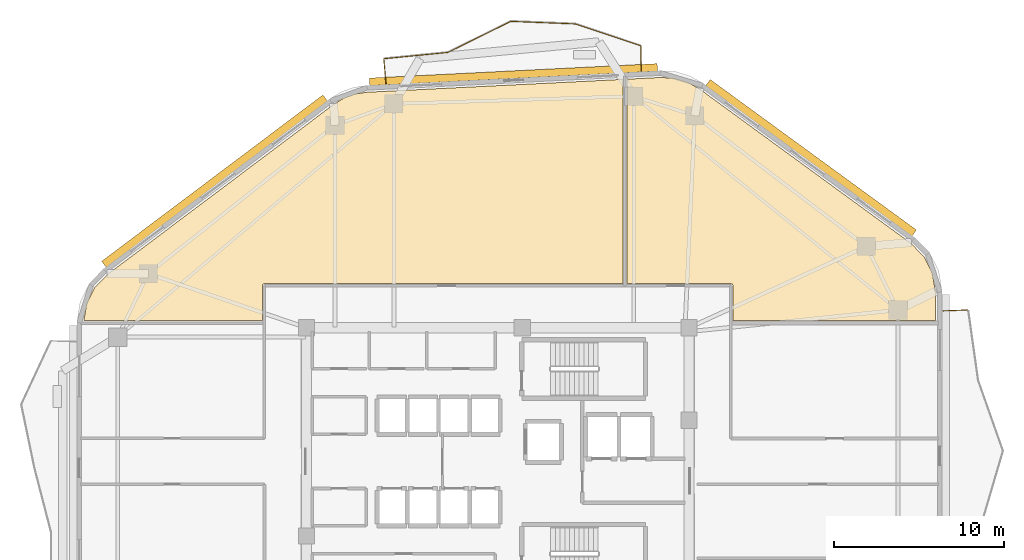
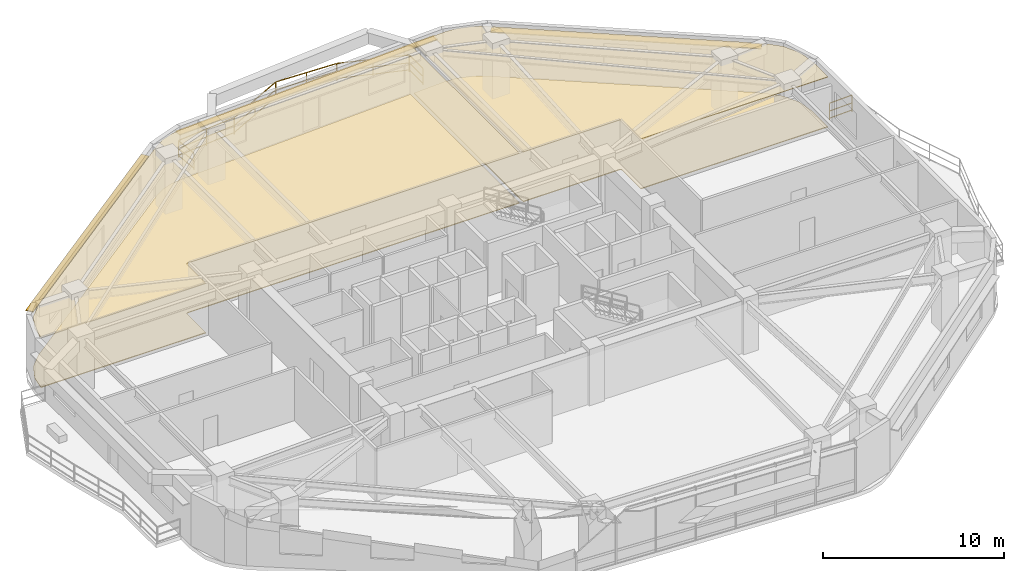
# One storey, part 14 of 14: 7 railings, 4 coverings, 3 shading devices.
"""IFC4 building model written with IfcOpenShell, lengths in metres."""

import ifcopenshell
import ifcopenshell.guid

model = None  # the IFC model being written
_history = None  # IfcOwnerHistory: only IFC2X3 demands one
_inside = {}  # id of a spatial element -> (the spatial element, [elements in it])
_under = {}  # id of a project, library or spatial element -> (it, [spatial elements below it])
_declared = {}  # id of a project -> (the project, [libraries it declares])
_typed = {}  # id of a type object -> (the type object, [elements of that type])
_made_of = {}  # id of a material, layer set ... -> (it, [elements and type objects made of it])


def new_model(schema):
    """Start an empty IFC model of exactly this schema.

    Asked for "IFC4X3", IfcOpenShell would pick the latest addendum, in which some entities
    have other attributes; the version numbers below select the first issue.
    IFC2X3 requires an IfcOwnerHistory on every rooted entity: one is made here for all.
    """
    global model, _history
    if schema == "IFC4X3":
        model = ifcopenshell.file(schema_version=(4, 3, 0, 0))
    else:
        model = ifcopenshell.file(schema=schema)
    _inside.clear()
    _under.clear()
    _declared.clear()
    _typed.clear()
    _made_of.clear()
    _history = None
    if model.schema == "IFC2X3":
        org = make("IfcOrganization", Name="unknown")
        user = make(
            "IfcPersonAndOrganization",
            ThePerson=make("IfcPerson", FamilyName="unknown"),
            TheOrganization=org,
        )
        app = make(
            "IfcApplication",
            ApplicationDeveloper=org,
            Version="unknown",
            ApplicationFullName="unknown",
            ApplicationIdentifier="unknown",
        )
        _history = make(
            "IfcOwnerHistory",
            OwningUser=user,
            OwningApplication=app,
            ChangeAction="ADDED",
            CreationDate=0,
        )
    return model


def make(cls, **values):
    """One entity of the class cls with the attributes given. An attribute that is None is left unset."""
    return model.create_entity(
        cls, **{name: value for name, value in values.items() if value is not None}
    )


def rooted(cls, **values):
    """An entity with a GlobalId (a new one), such as an element, a storey or a relation."""
    return make(cls, GlobalId=ifcopenshell.guid.new(), OwnerHistory=_history, **values)


def si_unit(unit_type, name, prefix=None):
    """IfcSIUnit, for example si_unit("LENGTHUNIT", "METRE", prefix="MILLI")."""
    return make("IfcSIUnit", UnitType=unit_type, Prefix=prefix, Name=name)


def assignment(units):
    """IfcUnitAssignment: the units of a project."""
    return None if units is None else make("IfcUnitAssignment", Units=units)


def point(xyz):
    """IfcCartesianPoint."""
    return None if xyz is None else make("IfcCartesianPoint", Coordinates=xyz)


def direction(xyz):
    """IfcDirection."""
    return None if xyz is None else make("IfcDirection", DirectionRatios=xyz)


def frame(location, z_axis=None, x_axis=None):
    """IfcAxis2Placement3D, a coordinate frame: its origin and axes. An axis left out is left unset."""
    return make(
        "IfcAxis2Placement3D",
        Location=point(location),
        Axis=direction(z_axis),
        RefDirection=direction(x_axis),
    )


def frame_2d(location, x_axis=None):
    """IfcAxis2Placement2D, a coordinate frame in the plane: its origin and x axis."""
    return make(
        "IfcAxis2Placement2D", Location=point(location), RefDirection=direction(x_axis)
    )


def origin():
    """The frame at (0, 0, 0) with its axes left unset."""
    return frame((0.0, 0.0, 0.0))


def origin_2d():
    """The frame at (0, 0) in the plane with its x axis left unset."""
    return frame_2d((0.0, 0.0))


def place(relative_to, where):
    """IfcLocalPlacement: puts the frame where relative to a parent placement (None: the world)."""
    return make(
        "IfcLocalPlacement", PlacementRelTo=relative_to, RelativePlacement=where
    )


def context(
    kind, dimensions, precision=None, world=None, true_north=None, identifier=None
):
    """IfcGeometricRepresentationContext, for example the 3D "Model" context."""
    return make(
        "IfcGeometricRepresentationContext",
        ContextIdentifier=identifier,
        ContextType=kind,
        CoordinateSpaceDimension=dimensions,
        Precision=precision,
        WorldCoordinateSystem=world,
        TrueNorth=true_north,
    )


def subcontext(parent, identifier, kind, view, scale=None):
    """IfcGeometricRepresentationSubContext, for example "Body" below "Model"."""
    return make(
        "IfcGeometricRepresentationSubContext",
        ContextIdentifier=identifier,
        ContextType=kind,
        ParentContext=parent,
        TargetScale=scale,
        TargetView=view,
    )


def project(units=None, contexts=None):
    """IfcProject with its units and contexts."""
    return rooted(
        "IfcProject",
        Name="project",
        RepresentationContexts=contexts,
        UnitsInContext=assignment(units),
    )


def spatial(cls, under=None, at=None, **own):
    """A site, building, storey or space (cls), placed at a placement, below another one or the project."""
    s = rooted(cls, ObjectPlacement=at, **own)
    if under is not None:
        _under.setdefault(under.id(), (under, []))[1].append(s)
    return s


def polyline(points):
    """IfcPolyline through the points."""
    return make("IfcPolyline", Points=[point(p) for p in points])


def profile(cls, at=None, kind="AREA", **sizes):
    """A parametric profile (cls). Its sizes go by their IFC names, for example OverallWidth=200.0."""
    return make(cls, ProfileType=kind, Position=at, **sizes)


def rectangle(**sizes):
    """IfcRectangleProfileDef."""
    return profile("IfcRectangleProfileDef", **sizes)


def outline(outer, holes=None, kind="AREA"):
    """IfcArbitraryClosedProfileDef: a profile drawn as a closed curve; with holes, ...WithVoids."""
    if holes is None:
        return make("IfcArbitraryClosedProfileDef", ProfileType=kind, OuterCurve=outer)
    return make(
        "IfcArbitraryProfileDefWithVoids",
        ProfileType=kind,
        OuterCurve=outer,
        InnerCurves=holes,
    )


def extrude(swept, where, along, depth):
    """IfcExtrudedAreaSolid: the profile swept, set in the frame where, extruded along a direction by depth."""
    return make(
        "IfcExtrudedAreaSolid",
        SweptArea=swept,
        Position=where,
        ExtrudedDirection=direction(along),
        Depth=depth,
    )


def shape(context_of_items, identifier, shape_type, items):
    """IfcShapeRepresentation: the items that make up one representation, for example the "Body"."""
    return make(
        "IfcShapeRepresentation",
        ContextOfItems=context_of_items,
        RepresentationIdentifier=identifier,
        RepresentationType=shape_type,
        Items=items,
    )


def material(Name=None, Category=None):
    """IfcMaterial."""
    return make("IfcMaterial", Name=Name, Category=Category)


def layer(
    of_material, thickness, ventilated=None, Name=None, Category=None, Priority=None
):
    """IfcMaterialLayer: one layer of a wall or slab, of a material (None: an air gap)."""
    return make(
        "IfcMaterialLayer",
        Material=of_material,
        LayerThickness=thickness,
        IsVentilated=ventilated,
        Name=Name,
        Category=Category,
        Priority=Priority,
    )


def layer_set(layers, Name=None):
    """IfcMaterialLayerSet."""
    return make("IfcMaterialLayerSet", MaterialLayers=layers, LayerSetName=Name)


def made_of(thing, what):
    """Note that an element or type object is made of a material, layer set ...; save() writes the relation."""
    if what is not None:
        _made_of.setdefault(what.id(), (what, []))[1].append(thing)
    return thing


def type_object(cls, material=None, **own):
    """A type object (cls), such as IfcWallType, which elements share."""
    return made_of(rooted(cls, **own), material)


def element(
    cls,
    number,
    at=None,
    inside=None,
    cuts=None,
    type_object=None,
    material=None,
    context=None,
    identifier="Body",
    shape_type=None,
    held_by="IfcProductDefinitionShape",
    body=None,
    shapes=None,
    **own,
):
    """One element of the class cls, such as IfcWall. Its Tag is "e" and its number.

    at: its placement. inside: the storey or other place that contains it. cuts: it is an
    opening in that element (IfcRelVoidsElement). A single representation is given by context,
    identifier, shape_type and body (its items); several are given by shapes. held_by: the class
    of the entity that holds the representations. save() writes the other relations.
    """
    e = rooted(cls, Tag="e%d" % number, ObjectPlacement=at, **own)
    if body is not None:
        shapes = [shape(context, identifier, shape_type, body)]
    if shapes is not None:
        e.Representation = make(held_by, Representations=shapes)
    if inside is not None:
        _inside.setdefault(inside.id(), (inside, []))[1].append(e)
    if cuts is not None:
        rooted(
            "IfcRelVoidsElement", RelatingBuildingElement=cuts, RelatedOpeningElement=e
        )
    if type_object is not None:
        _typed.setdefault(type_object.id(), (type_object, []))[1].append(e)
    return made_of(e, material)


def aggregate(whole, parts):
    """IfcRelAggregates: a whole, such as a stair, and the parts it consists of."""
    return rooted("IfcRelAggregates", RelatingObject=whole, RelatedObjects=parts)


def save(model, path):
    """Write the relations noted so far, then the file.

    IfcRelAggregates (storeys below a building ...), IfcRelContainedInSpatialStructure (elements
    in a storey), IfcRelDefinesByType, IfcRelAssociatesMaterial and IfcRelDeclares: one each for
    every whole, place, type object, material and project.
    """
    for whole, parts in _under.values():
        aggregate(whole, parts)
    for where, things in _inside.values():
        rooted(
            "IfcRelContainedInSpatialStructure",
            RelatedElements=things,
            RelatingStructure=where,
        )
    for kind, things in _typed.values():
        rooted("IfcRelDefinesByType", RelatedObjects=things, RelatingType=kind)
    for what, things in _made_of.values():
        rooted("IfcRelAssociatesMaterial", RelatedObjects=things, RelatingMaterial=what)
    for by, libraries in _declared.values():
        rooted("IfcRelDeclares", RelatingContext=by, RelatedDefinitions=libraries)
    model.write(path)


model = new_model("IFC4")

# Units and contexts
model_context = context("Model", 3, precision=1e-05, world=origin(), true_north=direction((0.0, 1.0)))
body_context = subcontext(model_context, "Body", "Model", "MODEL_VIEW")
ifc_project = project(units=[si_unit("LENGTHUNIT", "METRE"), si_unit("AREAUNIT", "SQUARE_METRE"), si_unit("VOLUMEUNIT", "CUBIC_METRE"), si_unit("PLANEANGLEUNIT", "RADIAN"), si_unit("MASSUNIT", "GRAM", prefix="KILO")], contexts=[model_context])

# Site, building, storey
site_placement = place(None, origin())
site = spatial("IfcSite", under=ifc_project, at=site_placement, CompositionType="ELEMENT")
building_placement = place(site_placement, origin())
building = spatial("IfcBuilding", under=site, at=building_placement, Name="Zulverin Broadcast Headquarters", CompositionType="ELEMENT")
storey_placement = place(building_placement, frame((0.0, 0.0, 140.199951171875)))
storey = spatial("IfcBuildingStorey", under=building, at=storey_placement, Name="L35", CompositionType="ELEMENT", Elevation=140.199951171875)

# Coverings
ifc_material_1 = material(Name="Perforated pale-metal acoustic baffle ceiling", Category="aluminium")
ifc_layer_1 = layer(ifc_material_1, 0.0400390625, Name="Perforated pale-metal acoustic baffle ceiling", Category="aluminium")
ifc_layer_set_1 = layer_set([ifc_layer_1], Name="Perforated pale-metal acoustic baffle ceiling")
covering_type_1 = type_object("IfcCoveringType", Name="COV-CEIL-ACOU", PredefinedType="CEILING", material=ifc_layer_set_1)
covering_1_placement = place(storey_placement, frame((0.0, 0.0, 3.360107421875)))
element("IfcCovering", 1, at=covering_1_placement, inside=storey, type_object=covering_type_1, Name="L35 Acoustic Baffle Ceiling 01", PredefinedType="CEILING", context=body_context, shape_type="SweptSolid", body=[
    extrude(outline(polyline([(14.02001953125, 36.23193359375), (13.251953125, 35.43994140625), (12.77197265625, 34.47998046875), (12.615966796875, 33.5), (23.132080078125, 33.5), (23.132080078125, 35.552001953125), (23.132080078125, 35.56396484375), (23.135986328125, 35.575927734375), (23.135986328125, 35.587890625), (23.139892578125, 35.595947265625), (23.14794921875, 35.60791015625), (23.152099609375, 35.6201171875), (23.159912109375, 35.6279296875), (23.16796875, 35.635986328125), (23.176025390625, 35.64404296875), (23.18408203125, 35.652099609375), (23.196044921875, 35.656005859375), (23.2080078125, 35.6640625), (23.216064453125, 35.66796875), (23.22802734375, 35.66796875), (23.239990234375, 35.672119140625), (23.251953125, 35.672119140625), (44.3798828125, 35.672119140625), (44.3798828125, 47.716064453125), (29.303955078125, 46.9599609375), (28.60009765625, 46.85595703125), (27.951904296875, 46.6201171875), (27.343994140625, 46.248046875), (14.02001953125, 36.23193359375)])), origin(), (0.0, 0.0, 1.0), 0.0400390625),
])
covering_2_placement = place(storey_placement, frame((0.0, 0.0, 3.360107421875)))
element("IfcCovering", 2, at=covering_2_placement, inside=storey, type_object=covering_type_1, Name="L35 Acoustic Baffle Ceiling 02", PredefinedType="CEILING", context=body_context, shape_type="SweptSolid", body=[
    extrude(outline(polyline([(62.1279296875, 37.280029296875), (61.3359375, 38.075927734375), (48.904052734375, 47.152099609375), (48.19189453125, 47.552001953125), (47.43603515625, 47.77587890625), (46.6240234375, 47.83203125), (44.6201171875, 47.72802734375), (44.6201171875, 35.672119140625), (50.751953125, 35.672119140625), (50.763916015625, 35.672119140625), (50.77587890625, 35.66796875), (50.7880859375, 35.66796875), (50.7958984375, 35.6640625), (50.80810546875, 35.656005859375), (50.820068359375, 35.652099609375), (50.827880859375, 35.64404296875), (50.8359375, 35.635986328125), (50.843994140625, 35.6279296875), (50.85205078125, 35.6201171875), (50.85595703125, 35.60791015625), (50.864013671875, 35.595947265625), (50.867919921875, 35.587890625), (50.867919921875, 35.575927734375), (50.8720703125, 35.56396484375), (50.8720703125, 35.552001953125), (50.8720703125, 33.5), (62.800048828125, 33.5), (62.800048828125, 35.199951171875), (62.6240234375, 36.30810546875), (62.1279296875, 37.280029296875)])), origin(), (0.0, 0.0, 1.0), 0.0400390625),
])
ifc_material_2 = material(Name="Anti-static broadcast raised access flooring", Category="stone")
ifc_layer_2 = layer(ifc_material_2, 0.050048828125, Name="Anti-static broadcast raised access flooring", Category="stone")
ifc_layer_set_2 = layer_set([ifc_layer_2], Name="Anti-static broadcast raised access flooring")
covering_type_2 = type_object("IfcCoveringType", Name="COV-FLR-RAISED", PredefinedType="FLOORING", material=ifc_layer_set_2)
covering_3_placement = place(storey_placement, origin())
element("IfcCovering", 3, at=covering_3_placement, inside=storey, type_object=covering_type_2, Name="L35 Broadcast Raised Access Flooring 01", PredefinedType="FLOORING", context=body_context, shape_type="SweptSolid", body=[
    extrude(outline(polyline([(14.02001953125, 36.23193359375), (13.251953125, 35.43994140625), (12.77197265625, 34.47998046875), (12.615966796875, 33.5), (23.132080078125, 33.5), (23.132080078125, 35.552001953125), (23.132080078125, 35.56396484375), (23.135986328125, 35.575927734375), (23.135986328125, 35.587890625), (23.139892578125, 35.595947265625), (23.14794921875, 35.60791015625), (23.152099609375, 35.6201171875), (23.159912109375, 35.6279296875), (23.16796875, 35.635986328125), (23.176025390625, 35.64404296875), (23.18408203125, 35.652099609375), (23.196044921875, 35.656005859375), (23.2080078125, 35.6640625), (23.216064453125, 35.66796875), (23.22802734375, 35.66796875), (23.239990234375, 35.672119140625), (23.251953125, 35.672119140625), (44.3798828125, 35.672119140625), (44.3798828125, 47.716064453125), (29.303955078125, 46.9599609375), (28.60009765625, 46.85595703125), (27.951904296875, 46.6201171875), (27.343994140625, 46.248046875), (14.02001953125, 36.23193359375)])), origin(), (0.0, 0.0, 1.0), 0.050048828125),
])
covering_4_placement = place(storey_placement, origin())
element("IfcCovering", 4, at=covering_4_placement, inside=storey, type_object=covering_type_2, Name="L35 Broadcast Raised Access Flooring 02", PredefinedType="FLOORING", context=body_context, shape_type="SweptSolid", body=[
    extrude(outline(polyline([(62.1279296875, 37.280029296875), (61.3359375, 38.075927734375), (48.904052734375, 47.152099609375), (48.19189453125, 47.552001953125), (47.43603515625, 47.77587890625), (46.6240234375, 47.83203125), (44.6201171875, 47.72802734375), (44.6201171875, 35.672119140625), (50.751953125, 35.672119140625), (50.763916015625, 35.672119140625), (50.77587890625, 35.66796875), (50.7880859375, 35.66796875), (50.7958984375, 35.6640625), (50.80810546875, 35.656005859375), (50.820068359375, 35.652099609375), (50.827880859375, 35.64404296875), (50.8359375, 35.635986328125), (50.843994140625, 35.6279296875), (50.85205078125, 35.6201171875), (50.85595703125, 35.60791015625), (50.864013671875, 35.595947265625), (50.867919921875, 35.587890625), (50.867919921875, 35.575927734375), (50.8720703125, 35.56396484375), (50.8720703125, 35.552001953125), (50.8720703125, 33.5), (62.800048828125, 33.5), (62.800048828125, 35.199951171875), (62.6240234375, 36.30810546875), (62.1279296875, 37.280029296875)])), origin(), (0.0, 0.0, 1.0), 0.050048828125),
])

# Railings
ifc_material_3 = material(Name="Brushed stainless steel & laminated glass balustrade", Category="steel")
railing_type = type_object("IfcRailingType", Name="RL-GUARD-1150", PredefinedType="GUARDRAIL", material=ifc_material_3)
railing_1_placement = place(storey_placement, frame((64.705078125, 34.12939453125, 0.0)))
element("IfcRailing", 5, at=railing_1_placement, inside=storey, type_object=railing_type, Name="L35 Vertical-Forest Balcony Guardrail BAL_E Segment 06", PredefinedType="GUARDRAIL", context=body_context, shape_type="SweptSolid", body=[
    extrude(rectangle(XDim=0.048095703125, YDim=0.048095703125, at=origin_2d()), frame((0.0, 0.0, 1.1259765625), z_axis=(-0.999174410196, -0.040626321628, 0.0), x_axis=(0.040626321628, -0.999174410196, 0.0)), (0.0, 0.0, 1.0), 1.46630859375),
    extrude(rectangle(XDim=0.0419921875, YDim=0.0419921875, at=origin_2d()), frame((0.0, 0.0, 0.597900390625), z_axis=(-0.999174410196, -0.040626321628, 0.0), x_axis=(0.040626321628, -0.999174410196, 0.0)), (0.0, 0.0, 1.0), 1.46630859375),
    extrude(rectangle(XDim=0.0419921875, YDim=0.0419921875, at=origin_2d()), frame((0.0, 0.0, 0.1201171875), z_axis=(-0.999174410196, -0.040626321628, 0.0), x_axis=(0.040626321628, -0.999174410196, 0.0)), (0.0, 0.0, 1.0), 1.46630859375),
    extrude(rectangle(XDim=0.0419921875, YDim=0.0419921875, at=origin_2d()), origin(), (0.0, 0.0, 1.0), 1.101806640625),
    extrude(rectangle(XDim=0.0419921875, YDim=0.0419921875, at=origin_2d()), frame((-1.465087890625, -0.0595703125, 0.0)), (0.0, 0.0, 1.0), 1.101806640625),
])
railing_2_placement = place(storey_placement, frame((45.464599609375, 48.212646484375, 0.0)))
element("IfcRailing", 6, at=railing_2_placement, inside=storey, type_object=railing_type, Name="L35 Vertical-Forest Balcony Guardrail BAL_N Segment 01", PredefinedType="GUARDRAIL", context=body_context, shape_type="SweptSolid", body=[
    extrude(rectangle(XDim=0.048095703125, YDim=0.048095703125, at=origin_2d()), frame((0.0, 0.0, 1.1259765625), z_axis=(-0.009658167329, 0.999953358814, 0.0), x_axis=(-0.999953358814, -0.009658167329, 0.0)), (0.0, 0.0, 1.0), 1.466064453125),
    extrude(rectangle(XDim=0.0419921875, YDim=0.0419921875, at=origin_2d()), frame((0.0, 0.0, 0.597900390625), z_axis=(-0.009658167329, 0.999953358814, 0.0), x_axis=(-0.999953358814, -0.009658167329, 0.0)), (0.0, 0.0, 1.0), 1.466064453125),
    extrude(rectangle(XDim=0.0419921875, YDim=0.0419921875, at=origin_2d()), frame((0.0, 0.0, 0.1201171875), z_axis=(-0.009658167329, 0.999953358814, 0.0), x_axis=(-0.999953358814, -0.009658167329, 0.0)), (0.0, 0.0, 1.0), 1.466064453125),
    extrude(rectangle(XDim=0.0419921875, YDim=0.0419921875, at=origin_2d()), origin(), (0.0, 0.0, 1.0), 1.101806640625),
    extrude(rectangle(XDim=0.0419921875, YDim=0.0419921875, at=origin_2d()), frame((-0.01416015625, 1.466064453125, 0.0)), (0.0, 0.0, 1.0), 1.101806640625),
])
railing_3_placement = place(storey_placement, frame((45.43603515625, 49.698486328125, 0.0)))
element("IfcRailing", 7, at=railing_3_placement, inside=storey, type_object=railing_type, Name="L35 Vertical-Forest Balcony Guardrail BAL_N Segment 02", PredefinedType="GUARDRAIL", context=body_context, shape_type="SweptSolid", body=[
    extrude(rectangle(XDim=0.048095703125, YDim=0.048095703125, at=origin_2d()), frame((0.0, 0.0, 1.1259765625), z_axis=(-0.948375052257, 0.317151005448, 0.0), x_axis=(-0.317151005448, -0.948375052257, 0.0)), (0.0, 0.0, 1.0), 4.045166015625),
    extrude(rectangle(XDim=0.0419921875, YDim=0.0419921875, at=origin_2d()), frame((0.0, 0.0, 0.597900390625), z_axis=(-0.948375052257, 0.317151005448, 0.0), x_axis=(-0.317151005448, -0.948375052257, 0.0)), (0.0, 0.0, 1.0), 4.045166015625),
    extrude(rectangle(XDim=0.0419921875, YDim=0.0419921875, at=origin_2d()), frame((0.0, 0.0, 0.1201171875), z_axis=(-0.948375052257, 0.317151005448, 0.0), x_axis=(-0.317151005448, -0.948375052257, 0.0)), (0.0, 0.0, 1.0), 4.045166015625),
    extrude(rectangle(XDim=0.0419921875, YDim=0.0419921875, at=origin_2d()), origin(), (0.0, 0.0, 1.0), 1.101806640625),
    extrude(rectangle(XDim=0.0419921875, YDim=0.0419921875, at=origin_2d()), frame((-1.918212890625, 0.6416015625, 0.0)), (0.0, 0.0, 1.0), 1.101806640625),
    extrude(rectangle(XDim=0.0419921875, YDim=0.0419921875, at=origin_2d()), frame((-3.83642578125, 1.282958984375, 0.0)), (0.0, 0.0, 1.0), 1.101806640625),
])
railing_4_placement = place(storey_placement, frame((41.5703125, 50.98681640625, 0.0)))
element("IfcRailing", 8, at=railing_4_placement, inside=storey, type_object=railing_type, Name="L35 Vertical-Forest Balcony Guardrail BAL_N Segment 03", PredefinedType="GUARDRAIL", context=body_context, shape_type="SweptSolid", body=[
    extrude(rectangle(XDim=0.048095703125, YDim=0.048095703125, at=origin_2d()), frame((0.0, 0.0, 1.1259765625), z_axis=(-0.999213698513, 0.039648262304, 0.0), x_axis=(-0.039648262304, -0.999213698513, 0.0)), (0.0, 0.0, 1.0), 3.78076171875),
    extrude(rectangle(XDim=0.0419921875, YDim=0.0419921875, at=origin_2d()), frame((0.0, 0.0, 0.597900390625), z_axis=(-0.999213698513, 0.039648262304, 0.0), x_axis=(-0.039648262304, -0.999213698513, 0.0)), (0.0, 0.0, 1.0), 3.78076171875),
    extrude(rectangle(XDim=0.0419921875, YDim=0.0419921875, at=origin_2d()), frame((0.0, 0.0, 0.1201171875), z_axis=(-0.999213698513, 0.039648262304, 0.0), x_axis=(-0.039648262304, -0.999213698513, 0.0)), (0.0, 0.0, 1.0), 3.78076171875),
    extrude(rectangle(XDim=0.0419921875, YDim=0.0419921875, at=origin_2d()), origin(), (0.0, 0.0, 1.0), 1.101806640625),
    extrude(rectangle(XDim=0.0419921875, YDim=0.0419921875, at=origin_2d()), frame((-1.888916015625, 0.074951171875, 0.0)), (0.0, 0.0, 1.0), 1.101806640625),
    extrude(rectangle(XDim=0.0419921875, YDim=0.0419921875, at=origin_2d()), frame((-3.77783203125, 0.14990234375, 0.0)), (0.0, 0.0, 1.0), 1.101806640625),
])
railing_5_placement = place(storey_placement, frame((37.76416015625, 51.130615234375, 0.0)))
element("IfcRailing", 9, at=railing_5_placement, inside=storey, type_object=railing_type, Name="L35 Vertical-Forest Balcony Guardrail BAL_N Segment 04", PredefinedType="GUARDRAIL", context=body_context, shape_type="SweptSolid", body=[
    extrude(rectangle(XDim=0.048095703125, YDim=0.048095703125, at=origin_2d()), frame((0.0, 0.0, 1.1259765625), z_axis=(-0.896616434561, -0.442808050148, 0.0), x_axis=(0.442808050148, -0.896616434561, 0.0)), (0.0, 0.0, 1.0), 4.10595703125),
    extrude(rectangle(XDim=0.0419921875, YDim=0.0419921875, at=origin_2d()), frame((0.0, 0.0, 0.597900390625), z_axis=(-0.896616434561, -0.442808050148, 0.0), x_axis=(0.442808050148, -0.896616434561, 0.0)), (0.0, 0.0, 1.0), 4.10595703125),
    extrude(rectangle(XDim=0.0419921875, YDim=0.0419921875, at=origin_2d()), frame((0.0, 0.0, 0.1201171875), z_axis=(-0.896616434561, -0.442808050148, 0.0), x_axis=(0.442808050148, -0.896616434561, 0.0)), (0.0, 0.0, 1.0), 4.10595703125),
    extrude(rectangle(XDim=0.0419921875, YDim=0.0419921875, at=origin_2d()), origin(), (0.0, 0.0, 1.0), 1.101806640625),
    extrude(rectangle(XDim=0.0419921875, YDim=0.0419921875, at=origin_2d()), frame((-1.8408203125, -0.9091796875, 0.0)), (0.0, 0.0, 1.0), 1.101806640625),
    extrude(rectangle(XDim=0.0419921875, YDim=0.0419921875, at=origin_2d()), frame((-3.681396484375, -1.818115234375, 0.0)), (0.0, 0.0, 1.0), 1.101806640625),
])
railing_6_placement = place(storey_placement, frame((34.054443359375, 49.30419921875, 0.0)))
element("IfcRailing", 10, at=railing_6_placement, inside=storey, type_object=railing_type, Name="L35 Vertical-Forest Balcony Guardrail BAL_N Segment 05", PredefinedType="GUARDRAIL", context=body_context, shape_type="SweptSolid", body=[
    extrude(rectangle(XDim=0.048095703125, YDim=0.048095703125, at=origin_2d()), frame((0.0, 0.0, 1.1259765625), z_axis=(-0.99518167752, -0.098048093952, 0.0), x_axis=(0.098048093952, -0.99518167752, 0.0)), (0.0, 0.0, 1.0), 3.769775390625),
    extrude(rectangle(XDim=0.0419921875, YDim=0.0419921875, at=origin_2d()), frame((0.0, 0.0, 0.597900390625), z_axis=(-0.99518167752, -0.098048093952, 0.0), x_axis=(0.098048093952, -0.99518167752, 0.0)), (0.0, 0.0, 1.0), 3.769775390625),
    extrude(rectangle(XDim=0.0419921875, YDim=0.0419921875, at=origin_2d()), frame((0.0, 0.0, 0.1201171875), z_axis=(-0.99518167752, -0.098048093952, 0.0), x_axis=(0.098048093952, -0.99518167752, 0.0)), (0.0, 0.0, 1.0), 3.769775390625),
    extrude(rectangle(XDim=0.0419921875, YDim=0.0419921875, at=origin_2d()), origin(), (0.0, 0.0, 1.0), 1.101806640625),
    extrude(rectangle(XDim=0.0419921875, YDim=0.0419921875, at=origin_2d()), frame((-1.8759765625, -0.184814453125, 0.0)), (0.0, 0.0, 1.0), 1.101806640625),
    extrude(rectangle(XDim=0.0419921875, YDim=0.0419921875, at=origin_2d()), frame((-3.751708984375, -0.36962890625, 0.0)), (0.0, 0.0, 1.0), 1.101806640625),
])
railing_7_placement = place(storey_placement, frame((30.289306640625, 48.918212890625, 0.0)))
element("IfcRailing", 11, at=railing_7_placement, inside=storey, type_object=railing_type, Name="L35 Vertical-Forest Balcony Guardrail BAL_N Segment 06", PredefinedType="GUARDRAIL", context=body_context, shape_type="SweptSolid", body=[
    extrude(rectangle(XDim=0.048095703125, YDim=0.048095703125, at=origin_2d()), frame((0.0, 0.0, 1.1259765625), z_axis=(0.090415638869, -0.995904117999, 0.0), x_axis=(0.995904117999, 0.090415638869, 0.0)), (0.0, 0.0, 1.0), 1.46630859375),
    extrude(rectangle(XDim=0.0419921875, YDim=0.0419921875, at=origin_2d()), frame((0.0, 0.0, 0.597900390625), z_axis=(0.090415638869, -0.995904117999, 0.0), x_axis=(0.995904117999, 0.090415638869, 0.0)), (0.0, 0.0, 1.0), 1.46630859375),
    extrude(rectangle(XDim=0.0419921875, YDim=0.0419921875, at=origin_2d()), frame((0.0, 0.0, 0.1201171875), z_axis=(0.090415638869, -0.995904117999, 0.0), x_axis=(0.995904117999, 0.090415638869, 0.0)), (0.0, 0.0, 1.0), 1.46630859375),
    extrude(rectangle(XDim=0.0419921875, YDim=0.0419921875, at=origin_2d()), origin(), (0.0, 0.0, 1.0), 1.101806640625),
    extrude(rectangle(XDim=0.0419921875, YDim=0.0419921875, at=origin_2d()), frame((0.132568359375, -1.460205078125, 0.0)), (0.0, 0.0, 1.0), 1.101806640625),
])

# Shading devices
ifc_material_4 = material(Name="Anodized pale-metal aluminium sunshade", Category="aluminium")
ifc_layer_3 = layer(ifc_material_4, 0.06005859375, Name="Anodized pale-metal aluminium sunshade", Category="aluminium")
ifc_layer_set_3 = layer_set([ifc_layer_3], Name="Anodized pale-metal aluminium sunshade")
shading_device_type = type_object("IfcShadingDeviceType", Name="SS-01_PALE_METAL_ALUMINIUM_SUNSHADE", PredefinedType="USERDEFINED", material=ifc_layer_set_3)
shading_device_1_placement = place(storey_placement, frame((55.476806640625, 43.0947265625, 2.7099609375), z_axis=(0.0, 0.0, 1.0), x_axis=(-0.807814001495, 0.589437476742, 0.0)))
element("IfcShadingDevice", 12, at=shading_device_1_placement, inside=storey, type_object=shading_device_type, Name="L35 Horizontal Pale-Metal Sunshade Band 4", ObjectType="SUNSHADE", PredefinedType="USERDEFINED", context=body_context, shape_type="SweptSolid", body=[
    extrude(rectangle(XDim=15.048583984375, YDim=0.449951171875, at=origin_2d()), origin(), (0.0, 0.0, 1.0), 0.06005859375),
])
shading_device_2_placement = place(storey_placement, frame((37.935302734375, 47.9951171875, 2.7099609375), z_axis=(0.0, 0.0, 1.0), x_axis=(-0.998743962301, -0.050104867704, 0.0)))
element("IfcShadingDevice", 13, at=shading_device_2_placement, inside=storey, type_object=shading_device_type, Name="L35 Horizontal Pale-Metal Sunshade Band 5", ObjectType="SUNSHADE", PredefinedType="USERDEFINED", context=body_context, shape_type="SweptSolid", body=[
    extrude(rectangle(XDim=16.981689453125, YDim=0.449951171875, at=origin_2d()), origin(), (0.0, 0.0, 1.0), 0.06005859375),
])
shading_device_3_placement = place(storey_placement, frame((20.31640625, 41.718994140625, 2.7099609375), z_axis=(0.0, 0.0, 1.0), x_axis=(-0.799275780179, -0.60096441427, 0.0)))
element("IfcShadingDevice", 14, at=shading_device_3_placement, inside=storey, type_object=shading_device_type, Name="L35 Horizontal Pale-Metal Sunshade Band 6", ObjectType="SUNSHADE", PredefinedType="USERDEFINED", context=body_context, shape_type="SweptSolid", body=[
    extrude(rectangle(XDim=16.316162109375, YDim=0.449951171875, at=origin_2d()), origin(), (0.0, 0.0, 1.0), 0.06005859375),
])

save(model, "model.ifc")
